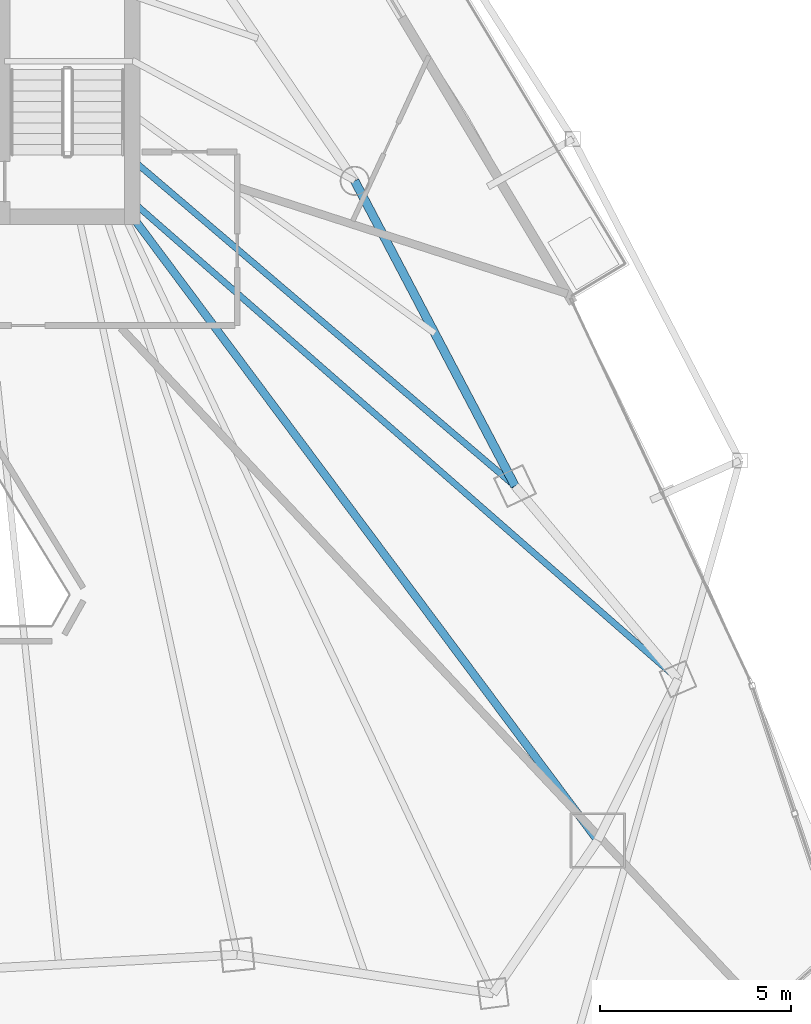
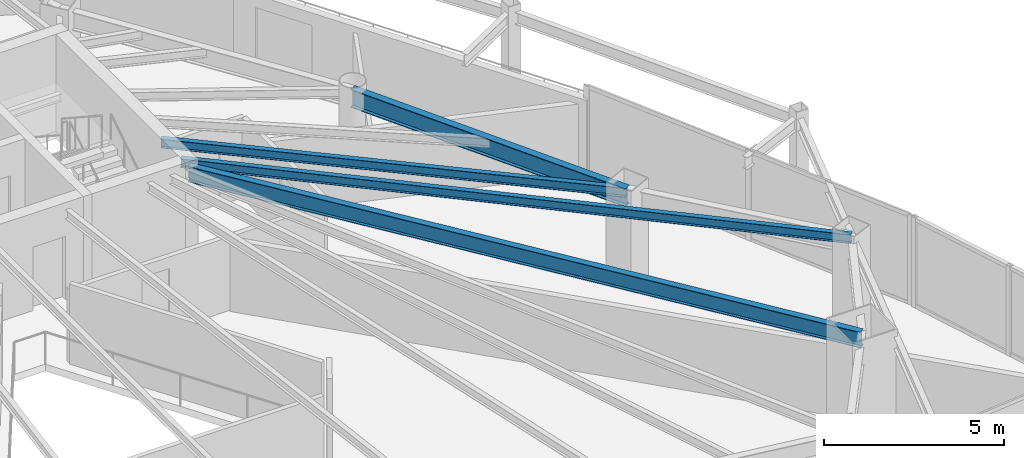
# One storey, part 17 of 31: 4 beams.
"""IFC4 building model written with IfcOpenShell, lengths in metres."""

from ifc_helpers import new_model, si_unit, direction, frame, origin, origin_2d, place, context, subcontext, project, spatial, i_section, extrude, material, material_profile, profile_set, type_object, element, save


model = new_model("IFC4")

# Units and contexts
model_context = context("Model", 3, precision=1e-05, world=origin(), true_north=direction((0.0, 1.0)))
body_context = subcontext(model_context, "Body", "Model", "MODEL_VIEW")
ifc_project = project(units=[si_unit("LENGTHUNIT", "METRE"), si_unit("AREAUNIT", "SQUARE_METRE"), si_unit("VOLUMEUNIT", "CUBIC_METRE"), si_unit("PLANEANGLEUNIT", "RADIAN"), si_unit("MASSUNIT", "GRAM", prefix="KILO")], contexts=[model_context])

# Site, building, storey
site_placement = place(None, origin())
site = spatial("IfcSite", under=ifc_project, at=site_placement, CompositionType="ELEMENT")
building_placement = place(site_placement, origin())
building = spatial("IfcBuilding", under=site, at=building_placement, Name="Orvanel Arch Residences", CompositionType="ELEMENT")
storey_placement = place(building_placement, frame((0.0, 0.0, 153.949951171875)))
storey = spatial("IfcBuildingStorey", under=building, at=storey_placement, Name="L43", CompositionType="ELEMENT", Elevation=153.949951171875)

# Beams
ifc_material = material(Name="Structural steel AS/NZS 3679.1 Grade 300 (300 MPa)", Category="steel")
ifc_material_profile_1 = material_profile(ifc_material, i_section(OverallWidth=0.208984375, OverallDepth=0.532958984375, WebThickness=0.01025390625, FlangeThickness=0.015625, at=origin_2d()), Name="530UB92.4")
ifc_profile_set_1 = profile_set([ifc_material_profile_1], Name="Structural steel AS/NZS 3679.1 Grade 300 (300 MPa)")
beam_type_1 = type_object("IfcBeamType", Name="BG-530UB", PredefinedType="BEAM", material=ifc_profile_set_1)
beam_1_placement = place(storey_placement, frame((39.625, 26.675048828125, 2.79296875), z_axis=(0.597893733742, -0.801575375839, 0.0), x_axis=(0.801575375839, 0.597893733742, 0.0)))
element("IfcBeam", 1, at=beam_1_placement, inside=storey, type_object=beam_type_1, Name="L43 South-East Radial Girder", PredefinedType="BEAM", context=body_context, shape_type="SweptSolid", body=[
    extrude(i_section(OverallWidth=0.208984375, OverallDepth=0.532958984375, WebThickness=0.01025390625, FlangeThickness=0.015625, at=origin_2d()), origin(), (0.0, 0.0, 1.0), 20.36474609375),
])
ifc_material_profile_2 = material_profile(ifc_material, i_section(OverallWidth=0.1650390625, OverallDepth=0.303955078125, WebThickness=0.006103515625, FlangeThickness=0.01025390625, at=origin_2d()), Name="310UB40.4")
ifc_profile_set_2 = profile_set([ifc_material_profile_2], Name="Structural steel AS/NZS 3679.1 Grade 300 (300 MPa)")
beam_type_2 = type_object("IfcBeamType", Name="BJ-310UB", PredefinedType="JOIST", material=ifc_profile_set_2)
beam_2_placement = place(storey_placement, frame((39.60009765625, 28.199951171875, 2.907958984375), z_axis=(0.760821315761, -0.648961420644, 0.0), x_axis=(0.648961420644, 0.760821315761, 0.0)))
element("IfcBeam", 2, at=beam_2_placement, inside=storey, type_object=beam_type_2, Name="L43 E Wing Floor Joist", PredefinedType="JOIST", context=body_context, shape_type="SweptSolid", body=[
    extrude(i_section(OverallWidth=0.1650390625, OverallDepth=0.303955078125, WebThickness=0.006103515625, FlangeThickness=0.01025390625, at=origin_2d()), origin(), (0.0, 0.0, 1.0), 13.18701171875),
])
beam_3_placement = place(storey_placement, frame((39.60009765625, 27.10009765625, 2.907958984375), z_axis=(0.752493154183, -0.658600070534, 0.0), x_axis=(0.658600070534, 0.752493154183, 0.0)))
element("IfcBeam", 3, at=beam_3_placement, inside=storey, type_object=beam_type_2, Name="L43 ME Wing Floor Joist", PredefinedType="JOIST", context=body_context, shape_type="SweptSolid", body=[
    extrude(i_section(OverallWidth=0.1650390625, OverallDepth=0.303955078125, WebThickness=0.006103515625, FlangeThickness=0.01025390625, at=origin_2d()), origin(), (0.0, 0.0, 1.0), 19.010009765625),
])
ifc_material_profile_3 = material_profile(ifc_material, i_section(OverallWidth=0.22900390625, OverallDepth=0.612060546875, WebThickness=0.011962890625, FlangeThickness=0.01953125, at=origin_2d()), Name="610UB125")
ifc_profile_set_3 = profile_set([ifc_material_profile_3], Name="Structural steel AS/NZS 3679.1 Grade 300 (300 MPa)")
beam_type_3 = type_object("IfcBeamType", Name="SP-610UB", PredefinedType="SPANDREL", material=ifc_profile_set_3)
beam_4_placement = place(storey_placement, frame((49.633056640625, 19.64208984375, 2.754150390625), z_axis=(-0.465064762793, 0.885276660942, 0.0), x_axis=(-0.885276660942, -0.465064762793, 0.0)))
element("IfcBeam", 4, at=beam_4_placement, inside=storey, type_object=beam_type_3, Name="L43 Perimeter Spandrel Beam 11", PredefinedType="SPANDREL", context=body_context, shape_type="SweptSolid", body=[
    extrude(i_section(OverallWidth=0.22900390625, OverallDepth=0.612060546875, WebThickness=0.011962890625, FlangeThickness=0.01953125, at=origin_2d()), origin(), (0.0, 0.0, 1.0), 9.03564453125),
])

save(model, "model.ifc")
